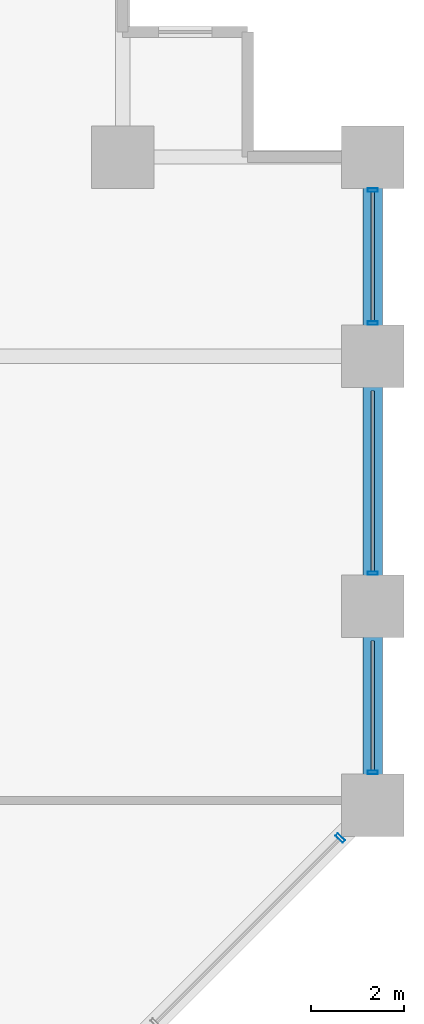
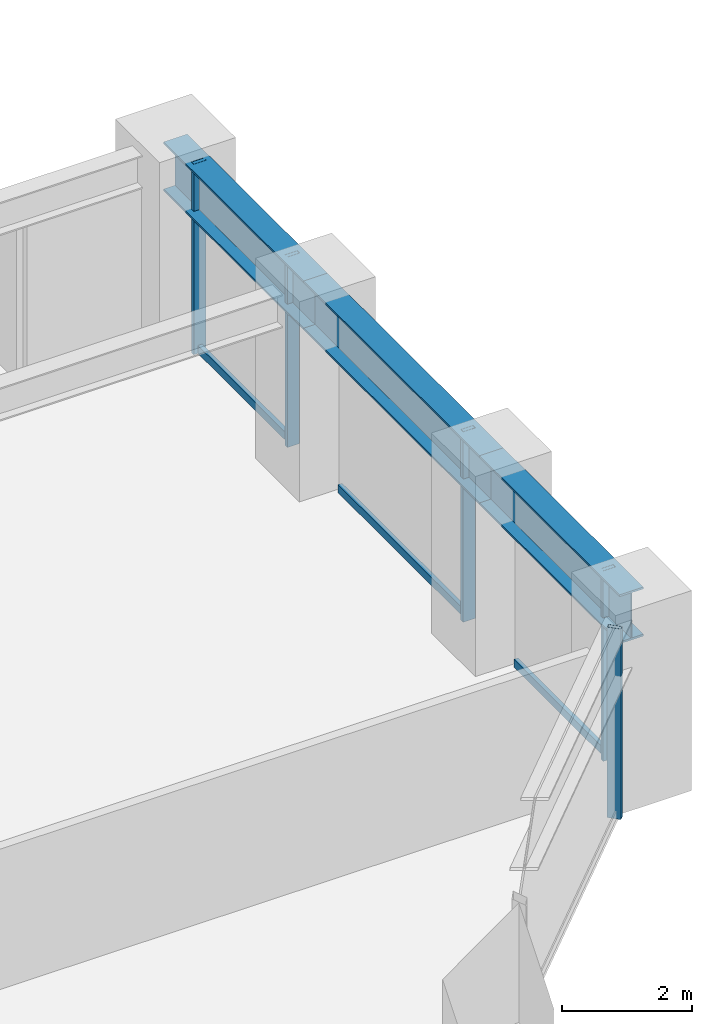
# One storey, part 17 of 25: 8 members, 3 beams, 2 elements without a shape of their own.
"""IFC4 building model written with IfcOpenShell, lengths in metres."""

from ifc_helpers import new_model, si_unit, direction, frame, origin, origin_2d, place, context, subcontext, project, spatial, hollow_rectangle, i_section, extrude, material, layer, layer_set, material_profile, profile_set, type_object, element, aggregate, save


model = new_model("IFC4")

# Units and contexts
model_context = context("Model", 3, precision=1e-05, world=origin(), true_north=direction((0.0, 1.0)))
body_context = subcontext(model_context, "Body", "Model", "MODEL_VIEW")
ifc_project = project(units=[si_unit("LENGTHUNIT", "METRE"), si_unit("AREAUNIT", "SQUARE_METRE"), si_unit("VOLUMEUNIT", "CUBIC_METRE"), si_unit("PLANEANGLEUNIT", "RADIAN"), si_unit("MASSUNIT", "GRAM", prefix="KILO")], contexts=[model_context])

# Site, building, storey
site_placement = place(None, origin())
site = spatial("IfcSite", under=ifc_project, at=site_placement, CompositionType="ELEMENT")
building_placement = place(site_placement, origin())
building = spatial("IfcBuilding", under=site, at=building_placement, Name="Surkhivell Harbour Commons", CompositionType="ELEMENT")
storey_placement = place(building_placement, frame((0.0, 0.0, 48.75)))
storey = spatial("IfcBuildingStorey", under=building, at=storey_placement, Name="L12", CompositionType="ELEMENT", Elevation=48.75)

# Beams
ifc_material_1 = material(Name="Steel S460", Category="steel")
ifc_material_profile_1 = material_profile(ifc_material_1, i_section(OverallWidth=0.419921875, OverallDepth=0.9208984375, WebThickness=0.021484375, FlangeThickness=0.03662109375, at=origin_2d()), Name="UB914x419x388")
ifc_profile_set_1 = profile_set([ifc_material_profile_1], Name="Steel S460")
beam_type = type_object("IfcBeamType", Name="BM-SPN-914A", PredefinedType="SPANDREL", material=ifc_profile_set_1)
beam_1_placement = place(storey_placement, frame((32.39990234375, 6.5, 3.109619140625), z_axis=(0.0, 1.0, 0.0), x_axis=(-1.0, 0.0, 0.0)))
element("IfcBeam", 1, at=beam_1_placement, inside=storey, type_object=beam_type, Name="L12 Tube Spandrel (32.4,6.5)", PredefinedType="SPANDREL", context=body_context, shape_type="SweptSolid", body=[
    extrude(i_section(OverallWidth=0.419921875, OverallDepth=0.9208984375, WebThickness=0.021484375, FlangeThickness=0.03662109375, at=origin_2d()), origin(), (0.0, 0.0, 1.0), 4.300048828125),
])
beam_2_placement = place(storey_placement, frame((32.39990234375, 10.800048828125, 3.109619140625), z_axis=(0.0, 1.0, 0.0), x_axis=(-1.0, 0.0, 0.0)))
element("IfcBeam", 2, at=beam_2_placement, inside=storey, type_object=beam_type, Name="L12 Tube Spandrel (32.4,10.8)", PredefinedType="SPANDREL", context=body_context, shape_type="SweptSolid", body=[
    extrude(i_section(OverallWidth=0.419921875, OverallDepth=0.9208984375, WebThickness=0.021484375, FlangeThickness=0.03662109375, at=origin_2d()), origin(), (0.0, 0.0, 1.0), 5.39990234375),
])
beam_3_placement = place(storey_placement, frame((32.39990234375, 16.199951171875, 3.109619140625), z_axis=(0.0, 1.0, 0.0), x_axis=(-1.0, 0.0, 0.0)))
element("IfcBeam", 3, at=beam_3_placement, inside=storey, type_object=beam_type, Name="L12 Tube Spandrel (32.4,16.2)", PredefinedType="SPANDREL", context=body_context, shape_type="SweptSolid", body=[
    extrude(i_section(OverallWidth=0.419921875, OverallDepth=0.9208984375, WebThickness=0.021484375, FlangeThickness=0.03662109375, at=origin_2d()), origin(), (0.0, 0.0, 1.0), 4.300048828125),
])

# Curtain wall, member
ifc_material_2 = material(Name="Anodised pale-metal aluminium and insulated glazing", Category="aluminium")
ifc_layer = layer(ifc_material_2, 0.219970703125)
ifc_layer_set = layer_set([ifc_layer], Name="Anodised pale-metal aluminium and insulated glazing")
curtain_wall_type = type_object("IfcCurtainWallType", Name="CW-SYS-Z1", PredefinedType="NOTDEFINED", material=ifc_layer_set)
curtain_wall_1_placement = place(storey_placement, origin())
curtain_wall_1 = element("IfcCurtainWall", 4, at=curtain_wall_1_placement, inside=storey, type_object=curtain_wall_type, Name="L12 Curtain Wall CW-L12-E01", PredefinedType="NOTDEFINED")
ifc_material_3 = material(Name="Anodised pale-metal aluminium alloy 6063-T6", Category="aluminium")
ifc_material_profile_2 = material_profile(ifc_material_3, hollow_rectangle(XDim=0.074951171875, YDim=0.219970703125, WallThickness=0.00390625, at=origin_2d()), Name="ALU-MULL-75x220")
ifc_profile_set_2 = profile_set([ifc_material_profile_2], Name="Anodised pale-metal aluminium alloy 6063-T6")
member_type_1 = type_object("IfcMemberType", Name="CWM-220", PredefinedType="MULLION", material=ifc_profile_set_2)
member_1_placement = place(storey_placement, frame((31.69677734375, 5.796630859375, 0.0), z_axis=(0.0, 0.0, 1.0), x_axis=(0.707106781187, 0.707106781187, 0.0)))
member_1 = element("IfcMember", 5, at=member_1_placement, type_object=member_type_1, Name="CW-Z1 mullion 7", PredefinedType="MULLION", context=body_context, shape_type="SweptSolid", body=[
    extrude(hollow_rectangle(XDim=0.074951171875, YDim=0.219970703125, WallThickness=0.00390625, at=origin_2d()), origin(), (0.0, 0.0, 1.0), 3.570068359375),
])
aggregate(curtain_wall_1, [member_1])

# Curtain wall, members
curtain_wall_2_placement = place(storey_placement, origin())
curtain_wall_2 = element("IfcCurtainWall", 6, at=curtain_wall_2_placement, inside=storey, type_object=curtain_wall_type, Name="L12 Curtain Wall CW-L12-E02", PredefinedType="NOTDEFINED")
member_2_placement = place(storey_placement, frame((32.39990234375, 7.214599609375, 0.0), z_axis=(0.0, 0.0, 1.0), x_axis=(0.0, 1.0, 0.0)))
member_2 = element("IfcMember", 7, at=member_2_placement, type_object=member_type_1, Name="CW-Z1 mullion 1", PredefinedType="MULLION", context=body_context, shape_type="SweptSolid", body=[
    extrude(hollow_rectangle(XDim=0.074951171875, YDim=0.219970703125, WallThickness=0.00390625, at=origin_2d()), origin(), (0.0, 0.0, 1.0), 3.570068359375),
])
member_3_placement = place(storey_placement, frame((32.39990234375, 11.514404296875, 0.0), z_axis=(0.0, 0.0, 1.0), x_axis=(0.0, 1.0, 0.0)))
member_3 = element("IfcMember", 8, at=member_3_placement, type_object=member_type_1, Name="CW-Z1 mullion 2", PredefinedType="MULLION", context=body_context, shape_type="SweptSolid", body=[
    extrude(hollow_rectangle(XDim=0.074951171875, YDim=0.219970703125, WallThickness=0.00390625, at=origin_2d()), origin(), (0.0, 0.0, 1.0), 3.570068359375),
])
member_4_placement = place(storey_placement, frame((32.39990234375, 16.91455078125, 0.0), z_axis=(0.0, 0.0, 1.0), x_axis=(0.0, 1.0, 0.0)))
member_4 = element("IfcMember", 9, at=member_4_placement, type_object=member_type_1, Name="CW-Z1 mullion 3", PredefinedType="MULLION", context=body_context, shape_type="SweptSolid", body=[
    extrude(hollow_rectangle(XDim=0.074951171875, YDim=0.219970703125, WallThickness=0.00390625, at=origin_2d()), origin(), (0.0, 0.0, 1.0), 3.570068359375),
])
member_5_placement = place(storey_placement, frame((32.39990234375, 19.785400390625, 0.0), z_axis=(0.0, 0.0, 1.0), x_axis=(0.0, 1.0, 0.0)))
member_5 = element("IfcMember", 10, at=member_5_placement, type_object=member_type_1, Name="CW-Z1 mullion 4", PredefinedType="MULLION", context=body_context, shape_type="SweptSolid", body=[
    extrude(hollow_rectangle(XDim=0.074951171875, YDim=0.219970703125, WallThickness=0.00390625, at=origin_2d()), origin(), (0.0, 0.0, 1.0), 3.570068359375),
])
ifc_material_profile_3 = material_profile(ifc_material_3, hollow_rectangle(XDim=0.074951171875, YDim=0.14990234375, WallThickness=0.00341796875, at=origin_2d()), Name="ALU-TRAN-75x150")
ifc_profile_set_3 = profile_set([ifc_material_profile_3], Name="Anodised pale-metal aluminium alloy 6063-T6")
member_type_2 = type_object("IfcMemberType", Name="CWT-150", PredefinedType="USERDEFINED", material=ifc_profile_set_3)
member_6_placement = place(storey_placement, frame((32.39990234375, 7.251953125, 0.074951171875), z_axis=(0.0, 1.0, 0.0), x_axis=(-1.0, 0.0, 0.0)))
member_6 = element("IfcMember", 11, at=member_6_placement, type_object=member_type_2, Name="CW-Z1 transom 1.1", ObjectType="TRANSOM", PredefinedType="USERDEFINED", context=body_context, shape_type="SweptSolid", body=[
    extrude(hollow_rectangle(XDim=0.074951171875, YDim=0.14990234375, WallThickness=0.00341796875, at=origin_2d()), origin(), (0.0, 0.0, 1.0), 2.796142578125),
])
member_7_placement = place(storey_placement, frame((32.39990234375, 11.552001953125, 0.074951171875), z_axis=(0.0, 1.0, 0.0), x_axis=(-1.0, 0.0, 0.0)))
member_7 = element("IfcMember", 12, at=member_7_placement, type_object=member_type_2, Name="CW-Z1 transom 2.1", ObjectType="TRANSOM", PredefinedType="USERDEFINED", context=body_context, shape_type="SweptSolid", body=[
    extrude(hollow_rectangle(XDim=0.074951171875, YDim=0.14990234375, WallThickness=0.00341796875, at=origin_2d()), origin(), (0.0, 0.0, 1.0), 3.89599609375),
])
member_8_placement = place(storey_placement, frame((32.39990234375, 16.951904296875, 0.074951171875), z_axis=(0.0, 1.0, 0.0), x_axis=(-1.0, 0.0, 0.0)))
member_8 = element("IfcMember", 13, at=member_8_placement, type_object=member_type_2, Name="CW-Z1 transom 3.1", ObjectType="TRANSOM", PredefinedType="USERDEFINED", context=body_context, shape_type="SweptSolid", body=[
    extrude(hollow_rectangle(XDim=0.074951171875, YDim=0.14990234375, WallThickness=0.00341796875, at=origin_2d()), origin(), (0.0, 0.0, 1.0), 2.796142578125),
])
aggregate(curtain_wall_2, [member_2, member_6, member_3, member_7, member_4, member_5, member_8])

save(model, "model.ifc")
